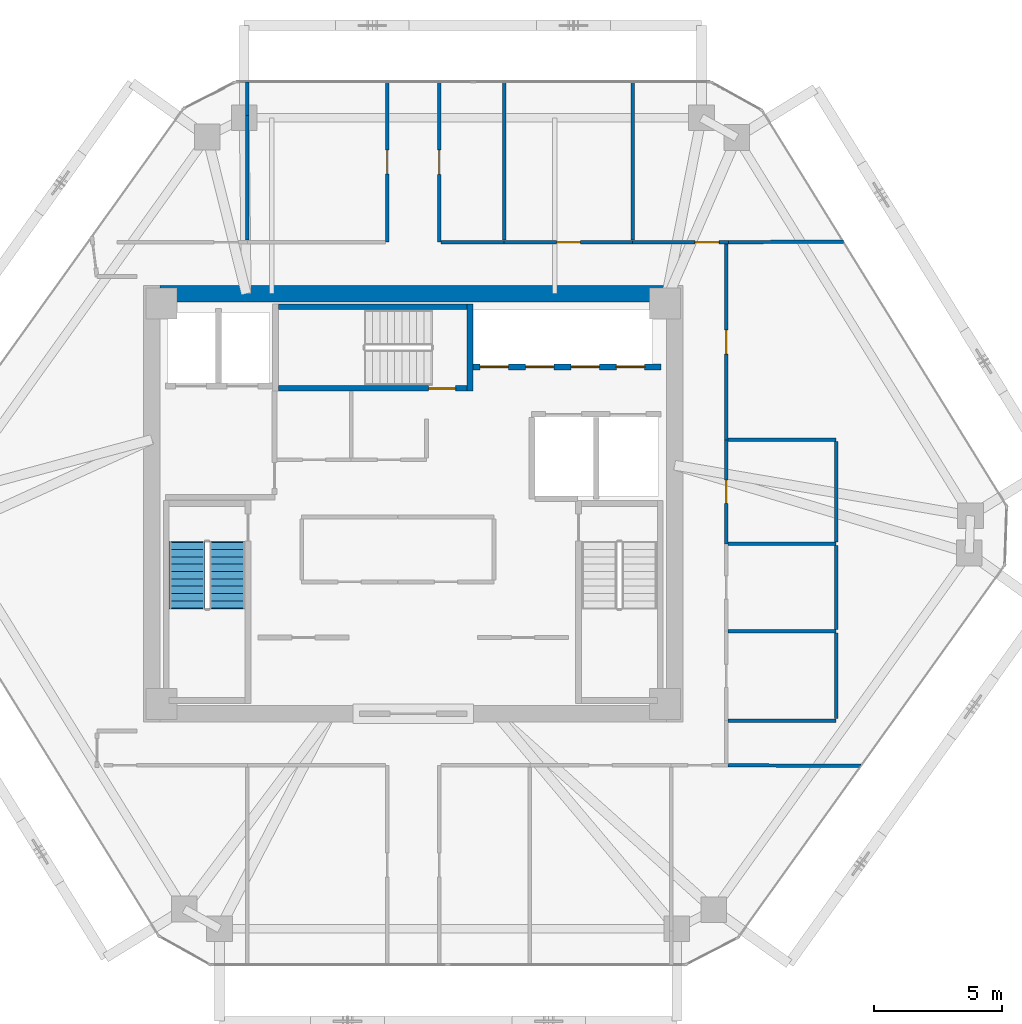
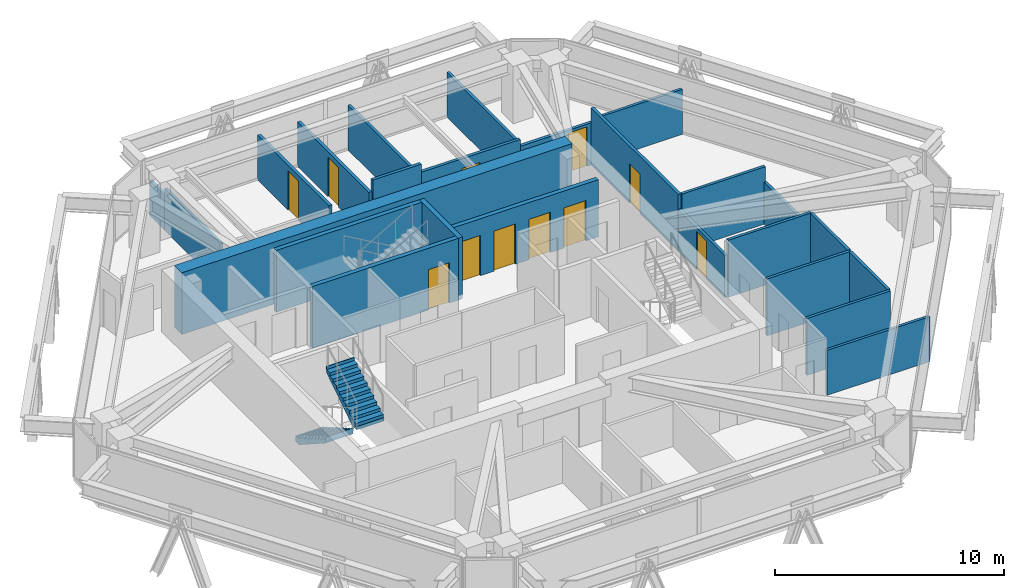
# One storey, part 12 of 14: 25 walls, 11 doors, 2 stair flights, 11 openings, 1 element without a shape of its own.
"""IFC4 building model written with IfcOpenShell, lengths in metres."""

from ifc_helpers import new_model, si_unit, direction, frame, frame_2d, origin, place, context, subcontext, project, spatial, polyline, rectangle, outline, extrude, source, transform, mapped, material, layer, layer_set, type_object, type_shapes, element, fill, aggregate, save


model = new_model("IFC4")

# Units and contexts
model_context = context("Model", 3, precision=1e-05, world=origin(), true_north=direction((0.0, 1.0)))
body_context = subcontext(model_context, "Body", "Model", "MODEL_VIEW")
ifc_project = project(units=[si_unit("LENGTHUNIT", "METRE"), si_unit("AREAUNIT", "SQUARE_METRE"), si_unit("VOLUMEUNIT", "CUBIC_METRE"), si_unit("PLANEANGLEUNIT", "RADIAN"), si_unit("MASSUNIT", "GRAM", prefix="KILO")], contexts=[model_context])

# Site, building, storey
site_placement = place(None, origin())
site = spatial("IfcSite", under=ifc_project, at=site_placement, CompositionType="ELEMENT")
building_placement = place(site_placement, origin())
building = spatial("IfcBuilding", under=site, at=building_placement, Name="Durnholm Broadcast Tower", CompositionType="ELEMENT")
storey_placement = place(building_placement, frame((0.0, 0.0, 173.800048828125)))
storey = spatial("IfcBuildingStorey", under=building, at=storey_placement, Name="L47", CompositionType="ELEMENT", Elevation=173.800048828125)

# Walls
ifc_material_1 = material(Name="Concrete C70/85", Category="concrete")
ifc_layer_1 = layer(ifc_material_1, 0.64990234375)
ifc_layer_set_1 = layer_set([ifc_layer_1], Name="Concrete C70/85")
wall_type_1 = type_object("IfcWallType", Name="WALL-CW-650", PredefinedType="SHEAR", material=ifc_layer_set_1)
wall_1_placement = place(storey_placement, frame((-9.85009765625, 8.175048828125, 0.0), z_axis=(0.0, 0.0, 1.0), x_axis=(1.0, 0.0, 0.0)))
element("IfcWall", 1, at=wall_1_placement, inside=storey, type_object=wall_type_1, Name="L47 central core shear wall CW-N", PredefinedType="SHEAR", context=body_context, shape_type="SweptSolid", body=[
    extrude(rectangle(XDim=19.7001953125, YDim=0.64990234375, at=frame_2d((9.85009765625, 0.0))), origin(), (0.0, 0.0, 1.0), 3.300048828125),
])
ifc_material_2 = material(Name="Gypsum Metal Stud Partition", Category="concrete")
ifc_layer_2 = layer(ifc_material_2, 0.135009765625)
ifc_layer_set_2 = layer_set([ifc_layer_2], Name="Gypsum Metal Stud Partition")
wall_type_2 = type_object("IfcWallType", Name="WALL-PART-135", PredefinedType="PARTITIONING", material=ifc_layer_set_2)
wall_2_placement = place(storey_placement, frame((-6.4599609375, 15.10205078125, 0.0), z_axis=(0.0, 0.0, 1.0), x_axis=(0.0, -1.0, 0.0)))
element("IfcWall", 2, at=wall_2_placement, inside=storey, type_object=wall_type_2, Name="L47 room dividing partition 10.11", PredefinedType="PARTITIONING", context=body_context, shape_type="SweptSolid", body=[
    extrude(rectangle(XDim=4.843017578125, YDim=0.135009765625, at=frame_2d((2.42138671875, 0.0))), origin(), (0.0, 0.0, 1.0), 2.24169921875),
])
wall_3_placement = place(storey_placement, frame((-6.4599609375, 16.41796875, 0.0), z_axis=(0.0, 0.0, 1.0), x_axis=(0.0, -1.0, 0.0)))
element("IfcWall", 3, at=wall_3_placement, inside=storey, type_object=wall_type_2, Name="L47 room dividing partition 10.11", PredefinedType="PARTITIONING", context=body_context, shape_type="SweptSolid", body=[
    extrude(rectangle(XDim=1.31591796875, YDim=0.135009765625, at=frame_2d((0.657958984375, 0.0))), origin(), (0.0, 0.0, 1.0), 1.876953125),
])
for number, where, z_axis, x_axis, name in (
    (4, (3.5400390625, 16.41796875, 0.0), (0.0, 0.0, 1.0), (0.0, -1.0, 0.0), "L47 room dividing partition 12.13"),
    (5, (8.5400390625, 16.41796875, 0.0), (0.0, 0.0, 1.0), (0.0, -1.0, 0.0), "L47 room dividing partition 13.14"),
):
    element("IfcWall", number, at=place(storey_placement, frame(where, z_axis=z_axis, x_axis=x_axis)), inside=storey, type_object=wall_type_2, Name=name, PredefinedType="PARTITIONING", context=body_context, shape_type="SweptSolid", body=[
        extrude(rectangle(XDim=6.158935546875, YDim=0.135009765625, at=frame_2d((3.07958984375, 0.0))), origin(), (0.0, 0.0, 1.0), 2.398681640625),
    ])
wall_4_placement = place(storey_placement, frame((16.739990234375, 10.200927734375, 0.0), z_axis=(0.0, 0.0, 1.0), x_axis=(-0.999989522694, -0.004577608714, 0.0)))
element("IfcWall", 6, at=wall_4_placement, inside=storey, type_object=wall_type_2, Name="L47 room dividing partition 14.22", PredefinedType="PARTITIONING", context=body_context, shape_type="SweptSolid", body=[
    extrude(rectangle(XDim=4.47998046875, YDim=0.135009765625, at=frame_2d((2.239990234375, 0.0))), origin(), (0.0, 0.0, 1.0), 2.398681640625),
])
wall_5_placement = place(storey_placement, frame((12.260009765625, -10.180419921875, 0.0), z_axis=(0.0, 0.0, 1.0), x_axis=(0.999990144117, -0.004439782427, 0.0)))
element("IfcWall", 7, at=wall_5_placement, inside=storey, type_object=wall_type_2, Name="L47 room dividing partition 19.22", PredefinedType="PARTITIONING", context=body_context, shape_type="SweptSolid", body=[
    extrude(rectangle(XDim=5.1689453125, YDim=0.135009765625, at=frame_2d((2.58447265625, 0.0))), origin(), (0.0, 0.0, 1.0), 2.398681640625),
])

# Wall, opening, door
ifc_material_3 = material(Name="Acoustic Gypsum Stud Partition", Category="concrete")
ifc_layer_3 = layer(ifc_material_3, 0.14990234375)
ifc_layer_set_3 = layer_set([ifc_layer_3], Name="Acoustic Gypsum Stud Partition")
wall_type_3 = type_object("IfcWallType", Name="WALL-PART-150", PredefinedType="PARTITIONING", material=ifc_layer_set_3)
wall_6_placement = place(storey_placement, frame((-1.010009765625, 16.41796875, 0.0), z_axis=(0.0, 0.0, 1.0), x_axis=(0.0, -1.0, 0.0)))
wall_6 = element("IfcWall", 8, at=wall_6_placement, inside=storey, type_object=wall_type_3, Name="L47 Rough-Cut Office 1 corridor partition", PredefinedType="PARTITIONING", context=body_context, shape_type="SweptSolid", body=[
    extrude(rectangle(XDim=6.238037109375, YDim=0.14990234375, at=frame_2d((3.119140625, 0.0))), origin(), (0.0, 0.0, 1.0), 2.398681640625),
])
opening_1_placement = place(wall_6_placement, frame((2.658935546875, 0.0, 0.0)))
opening_1 = element("IfcOpeningElement", 9, at=opening_1_placement, cuts=wall_6, Name="Opening DR-92R", PredefinedType="OPENING", context=body_context, shape_type="SweptSolid", body=[
    extrude(rectangle(XDim=0.919921875, YDim=2.10009765625, at=frame_2d((0.4599609375, 1.050048828125))), frame((0.0, 0.0849609375, 0.0), z_axis=(0.0, -1.0, 0.0), x_axis=(1.0, 0.0, 0.0)), (0.0, 0.0, 1.0), 0.169921875),
])
ifc_material_4 = material(Name="Oak Veneer Office Door", Category="wood")
ifc_layer_4 = layer(ifc_material_4, 0.050048828125)
ifc_layer_set_4 = layer_set([ifc_layer_4], Name="Oak Veneer Office Door")
door_type_1 = type_object("IfcDoorType", Name="DOOR-RM-920R", OperationType="NOTDEFINED", PredefinedType="DOOR", material=ifc_layer_set_4)
shared_shape_1 = source(origin(), body_context, "Body", "SweptSolid", [
    extrude(rectangle(XDim=0.919921875, YDim=2.10009765625, at=frame_2d((0.4599609375, 1.050048828125))), frame((0.0, 0.02490234375, 0.0), z_axis=(0.0, -1.0, 0.0), x_axis=(1.0, 0.0, 0.0)), (0.0, 0.0, 1.0), 0.050048828125),
])
type_shapes(door_type_1, [shared_shape_1])
door_1_placement = place(opening_1_placement, origin())
door_1 = element("IfcDoor", 10, at=door_1_placement, inside=storey, type_object=door_type_1, Name="L47 Rough-Cut Office 1 entrance door", OperationType="SINGLE_SWING_RIGHT", OverallHeight=2.10009765625, OverallWidth=0.919921875, PredefinedType="DOOR", context=body_context, shape_type="MappedRepresentation", body=[
    mapped(shared_shape_1, transform((0.0, 0.0, 0.0), x_axis=(1.0, 0.0, 0.0), y_axis=(0.0, 1.0, 0.0), z_axis=(0.0, 0.0, 1.0), scale=1.0)),
])
fill(opening_1, door_1)

wall_7_placement = place(storey_placement, frame((1.010009765625, 10.179931640625, 0.0), z_axis=(0.0, 0.0, 1.0), x_axis=(0.0, 1.0, 0.0)))
wall_7 = element("IfcWall", 11, at=wall_7_placement, inside=storey, type_object=wall_type_3, Name="L47 Rough-Cut Office 2 corridor partition", PredefinedType="PARTITIONING", context=body_context, shape_type="SweptSolid", body=[
    extrude(rectangle(XDim=6.238037109375, YDim=0.14990234375, at=frame_2d((3.119140625, 0.0))), origin(), (0.0, 0.0, 1.0), 2.398681640625),
])
opening_2_placement = place(wall_7_placement, frame((2.64404296875, 0.0, 0.0)))
opening_2 = element("IfcOpeningElement", 12, at=opening_2_placement, cuts=wall_7, Name="Opening DR-95L", PredefinedType="OPENING", context=body_context, shape_type="SweptSolid", body=[
    extrude(rectangle(XDim=0.949951171875, YDim=2.10009765625, at=frame_2d((0.47509765625, 1.050048828125))), frame((0.0, 0.0849609375, 0.0), z_axis=(0.0, -1.0, 0.0), x_axis=(1.0, 0.0, 0.0)), (0.0, 0.0, 1.0), 0.169921875),
])
ifc_material_5 = material(Name="Acoustic Oak Veneer Timber Door", Category="wood")
ifc_layer_5 = layer(ifc_material_5, 0.050048828125)
ifc_layer_set_5 = layer_set([ifc_layer_5], Name="Acoustic Oak Veneer Timber Door")
door_type_2 = type_object("IfcDoorType", Name="DOOR-RM-950L", OperationType="NOTDEFINED", PredefinedType="DOOR", material=ifc_layer_set_5)
shared_shape_2 = source(origin(), body_context, "Body", "SweptSolid", [
    extrude(rectangle(XDim=0.949951171875, YDim=2.10009765625, at=frame_2d((0.47509765625, 1.050048828125))), frame((0.0, 0.02490234375, 0.0), z_axis=(0.0, -1.0, 0.0), x_axis=(1.0, 0.0, 0.0)), (0.0, 0.0, 1.0), 0.050048828125),
])
type_shapes(door_type_2, [shared_shape_2])
door_2_placement = place(opening_2_placement, origin())
door_2 = element("IfcDoor", 13, at=door_2_placement, inside=storey, type_object=door_type_2, Name="L47 Rough-Cut Office 2 entrance door", OperationType="SINGLE_SWING_LEFT", OverallHeight=2.10009765625, OverallWidth=0.949951171875, PredefinedType="DOOR", context=body_context, shape_type="MappedRepresentation", body=[
    mapped(shared_shape_2, transform((0.0, 0.0, 0.0), x_axis=(1.0, 0.0, 0.0), y_axis=(0.0, 1.0, 0.0), z_axis=(0.0, 0.0, 1.0), scale=1.0)),
])
fill(opening_2, door_2)

# Wall
wall_8_placement = place(storey_placement, frame((3.5400390625, 10.179931640625, 0.0), z_axis=(0.0, 0.0, 1.0), x_axis=(-1.0, 0.0, 0.0)))
element("IfcWall", 14, at=wall_8_placement, inside=storey, type_object=wall_type_3, Name="L47 Rough-Cut Office 2 corridor partition", PredefinedType="PARTITIONING", context=body_context, shape_type="SweptSolid", body=[
    extrude(rectangle(XDim=2.450927734375, YDim=0.14990234375, at=frame_2d((1.2255859375, 0.0))), origin(), (0.0, 0.0, 1.0), 3.044921875),
])

# Wall, opening, door
wall_9_placement = place(storey_placement, frame((8.5400390625, 10.179931640625, 0.0), z_axis=(0.0, 0.0, 1.0), x_axis=(-1.0, 0.0, 0.0)))
wall_9 = element("IfcWall", 15, at=wall_9_placement, inside=storey, type_object=wall_type_3, Name="L47 Archival Office corridor partition", PredefinedType="PARTITIONING", context=body_context, shape_type="SweptSolid", body=[
    extrude(rectangle(XDim=5.0, YDim=0.14990234375, at=frame_2d((2.5, 0.0))), origin(), (0.0, 0.0, 1.0), 2.608154296875),
])
opening_3_placement = place(wall_9_placement, frame((2.0400390625, 0.0, 0.0)))
opening_3 = element("IfcOpeningElement", 16, at=opening_3_placement, cuts=wall_9, Name="Opening DR-92R", PredefinedType="OPENING", context=body_context, shape_type="SweptSolid", body=[
    extrude(rectangle(XDim=0.919921875, YDim=2.10009765625, at=frame_2d((0.4599609375, 1.050048828125))), frame((0.0, 0.0849609375, 0.0), z_axis=(0.0, -1.0, 0.0), x_axis=(1.0, 0.0, 0.0)), (0.0, 0.0, 1.0), 0.169921875),
])
door_3_placement = place(opening_3_placement, origin())
door_3 = element("IfcDoor", 17, at=door_3_placement, inside=storey, type_object=door_type_1, Name="L47 Archival Office entrance door", OperationType="SINGLE_SWING_RIGHT", OverallHeight=2.10009765625, OverallWidth=0.919921875, PredefinedType="DOOR", context=body_context, shape_type="MappedRepresentation", body=[
    mapped(shared_shape_1, transform((0.0, 0.0, 0.0), x_axis=(1.0, 0.0, 0.0), y_axis=(0.0, 1.0, 0.0), z_axis=(0.0, 0.0, 1.0), scale=1.0)),
])
fill(opening_3, door_3)

wall_10_placement = place(storey_placement, frame((12.260009765625, 10.179931640625, 0.0), z_axis=(0.0, 0.0, 1.0), x_axis=(-1.0, 0.0, 0.0)))
wall_10 = element("IfcWall", 18, at=wall_10_placement, inside=storey, type_object=wall_type_3, Name="L47 Open Plan Broadcast Workspace 6 corridor partition", PredefinedType="PARTITIONING", context=body_context, shape_type="SweptSolid", body=[
    extrude(rectangle(XDim=3.719970703125, YDim=0.14990234375, at=frame_2d((1.85986328125, 0.0))), origin(), (0.0, 0.0, 1.0), 2.24169921875),
])
opening_4_placement = place(wall_10_placement, frame((0.35009765625, 0.0, 0.0)))
opening_4 = element("IfcOpeningElement", 19, at=opening_4_placement, cuts=wall_10, Name="Opening DR-95L", PredefinedType="OPENING", context=body_context, shape_type="SweptSolid", body=[
    extrude(rectangle(XDim=0.949951171875, YDim=2.10009765625, at=frame_2d((0.47509765625, 1.050048828125))), frame((0.0, 0.0849609375, 0.0), z_axis=(0.0, -1.0, 0.0), x_axis=(1.0, 0.0, 0.0)), (0.0, 0.0, 1.0), 0.169921875),
])
door_4_placement = place(opening_4_placement, origin())
door_4 = element("IfcDoor", 20, at=door_4_placement, inside=storey, type_object=door_type_2, Name="L47 Open Plan Broadcast Workspace 6 entrance door", OperationType="SINGLE_SWING_LEFT", OverallHeight=2.10009765625, OverallWidth=0.949951171875, PredefinedType="DOOR", context=body_context, shape_type="MappedRepresentation", body=[
    mapped(shared_shape_2, transform((0.0, 0.0, 0.0), x_axis=(1.0, 0.0, 0.0), y_axis=(0.0, 1.0, 0.0), z_axis=(0.0, 0.0, 1.0), scale=1.0)),
])
fill(opening_4, door_4)

wall_11_placement = place(storey_placement, frame((12.179931640625, 2.489990234375, 0.0), z_axis=(0.0, 0.0, 1.0), x_axis=(0.0, 1.0, 0.0)))
wall_11 = element("IfcWall", 21, at=wall_11_placement, inside=storey, type_object=wall_type_3, Name="L47 Archival Office corridor partition", PredefinedType="PARTITIONING", context=body_context, shape_type="SweptSolid", body=[
    extrude(rectangle(XDim=7.611083984375, YDim=0.14990234375, at=frame_2d((3.8056640625, 0.0))), origin(), (0.0, 0.0, 1.0), 3.044921875),
])
opening_5_placement = place(wall_11_placement, frame((3.33056640625, 0.0, 0.0)))
opening_5 = element("IfcOpeningElement", 22, at=opening_5_placement, cuts=wall_11, Name="Opening DR-95R", PredefinedType="OPENING", context=body_context, shape_type="SweptSolid", body=[
    extrude(rectangle(XDim=0.949951171875, YDim=2.10009765625, at=frame_2d((0.47509765625, 1.050048828125))), frame((0.0, 0.0849609375, 0.0), z_axis=(0.0, -1.0, 0.0), x_axis=(1.0, 0.0, 0.0)), (0.0, 0.0, 1.0), 0.169921875),
])
ifc_layer_6 = layer(ifc_material_5, 0.050048828125)
ifc_layer_set_6 = layer_set([ifc_layer_6], Name="Acoustic Oak Veneer Timber Door")
door_type_3 = type_object("IfcDoorType", Name="DOOR-RM-950R", OperationType="NOTDEFINED", PredefinedType="DOOR", material=ifc_layer_set_6)
shared_shape_3 = source(origin(), body_context, "Body", "SweptSolid", [
    extrude(rectangle(XDim=0.949951171875, YDim=2.10009765625, at=frame_2d((0.47509765625, 1.050048828125))), frame((0.0, 0.02490234375, 0.0), z_axis=(0.0, -1.0, 0.0), x_axis=(1.0, 0.0, 0.0)), (0.0, 0.0, 1.0), 0.050048828125),
])
type_shapes(door_type_3, [shared_shape_3])
door_5_placement = place(opening_5_placement, origin())
door_5 = element("IfcDoor", 23, at=door_5_placement, inside=storey, type_object=door_type_3, Name="L47 Archival Office entrance door", OperationType="SINGLE_SWING_RIGHT", OverallHeight=2.10009765625, OverallWidth=0.949951171875, PredefinedType="DOOR", context=body_context, shape_type="MappedRepresentation", body=[
    mapped(shared_shape_3, transform((0.0, 0.0, 0.0), x_axis=(1.0, 0.0, 0.0), y_axis=(0.0, 1.0, 0.0), z_axis=(0.0, 0.0, 1.0), scale=1.0)),
])
fill(opening_5, door_5)

# Wall, openings, doors
ifc_material_6 = material(Name="Concrete Blockwork C30/37", Category="masonry")
ifc_layer_7 = layer(ifc_material_6, 0.219970703125)
ifc_layer_set_7 = layer_set([ifc_layer_7], Name="Concrete Blockwork C30/37")
wall_type_4 = type_object("IfcWallType", Name="WALL-SHAFT-220", PredefinedType="SOLIDWALL", material=ifc_layer_set_7)
wall_12_placement = place(storey_placement, frame((2.324951171875, 5.320068359375, 0.0), z_axis=(0.0, 0.0, 1.0), x_axis=(1.0, 0.0, 0.0)))
wall_12 = element("IfcWall", 24, at=wall_12_placement, inside=storey, type_object=wall_type_4, Name="L47 high-rise bank P3 south front wall", PredefinedType="SOLIDWALL", context=body_context, shape_type="SweptSolid", body=[
    extrude(rectangle(XDim=7.324951171875, YDim=0.219970703125, at=frame_2d((3.66259765625, 0.0))), origin(), (0.0, 0.0, 1.0), 3.044921875),
])
opening_6_placement = place(wall_12_placement, frame((0.27490234375, 0.0, 0.0)))
opening_6 = element("IfcOpeningElement", 25, at=opening_6_placement, cuts=wall_12, Name="Opening LD-LP3-1", PredefinedType="OPENING", context=body_context, shape_type="SweptSolid", body=[
    extrude(rectangle(XDim=1.10009765625, YDim=2.14990234375, at=frame_2d((0.550048828125, 1.074951171875))), frame((0.0, 0.1201171875, 0.0), z_axis=(0.0, -1.0, 0.0), x_axis=(1.0, 0.0, 0.0)), (0.0, 0.0, 1.0), 0.239990234375),
])
opening_7_placement = place(wall_12_placement, frame((2.044921875, 0.0, 0.0)))
opening_7 = element("IfcOpeningElement", 26, at=opening_7_placement, cuts=wall_12, Name="Opening LD-LP3-2", PredefinedType="OPENING", context=body_context, shape_type="SweptSolid", body=[
    extrude(rectangle(XDim=1.10009765625, YDim=2.14990234375, at=frame_2d((0.550048828125, 1.074951171875))), frame((0.0, 0.1201171875, 0.0), z_axis=(0.0, -1.0, 0.0), x_axis=(1.0, 0.0, 0.0)), (0.0, 0.0, 1.0), 0.239990234375),
])
opening_8_placement = place(wall_12_placement, frame((3.81494140625, 0.0, 0.0)))
opening_8 = element("IfcOpeningElement", 27, at=opening_8_placement, cuts=wall_12, Name="Opening LD-LP3-3", PredefinedType="OPENING", context=body_context, shape_type="SweptSolid", body=[
    extrude(rectangle(XDim=1.10009765625, YDim=2.14990234375, at=frame_2d((0.550048828125, 1.074951171875))), frame((0.0, 0.1201171875, 0.0), z_axis=(0.0, -1.0, 0.0), x_axis=(1.0, 0.0, 0.0)), (0.0, 0.0, 1.0), 0.239990234375),
])
opening_9_placement = place(wall_12_placement, frame((5.5849609375, 0.0, 0.0)))
opening_9 = element("IfcOpeningElement", 28, at=opening_9_placement, cuts=wall_12, Name="Opening LD-LP3-4", PredefinedType="OPENING", context=body_context, shape_type="SweptSolid", body=[
    extrude(rectangle(XDim=1.10009765625, YDim=2.14990234375, at=frame_2d((0.550048828125, 1.074951171875))), frame((0.0, 0.1201171875, 0.0), z_axis=(0.0, -1.0, 0.0), x_axis=(1.0, 0.0, 0.0)), (0.0, 0.0, 1.0), 0.239990234375),
])
ifc_material_7 = material(Name="Stainless Steel Sliding Elevator Landing Door", Category="steel")
ifc_layer_8 = layer(ifc_material_7, 0.050048828125)
ifc_layer_set_8 = layer_set([ifc_layer_8], Name="Stainless Steel Sliding Elevator Landing Door")
door_type_4 = type_object("IfcDoorType", Name="DOOR-LIFT-PAX", OperationType="DOUBLE_DOOR_SLIDING", PredefinedType="DOOR", material=ifc_layer_set_8)
shared_shape_4 = source(origin(), body_context, "Body", "SweptSolid", [
    extrude(rectangle(XDim=1.10009765625, YDim=2.14990234375, at=frame_2d((0.550048828125, 1.074951171875))), frame((0.0, 0.02490234375, 0.0), z_axis=(0.0, -1.0, 0.0), x_axis=(1.0, 0.0, 0.0)), (0.0, 0.0, 1.0), 0.050048828125),
])
type_shapes(door_type_4, [shared_shape_4])
door_6_placement = place(opening_6_placement, origin())
door_6 = element("IfcDoor", 29, at=door_6_placement, inside=storey, type_object=door_type_4, Name="L47 high-rise elevator LP3-1 sliding landing door", OperationType="DOUBLE_DOOR_SLIDING", OverallHeight=2.14990234375, OverallWidth=1.10009765625, PredefinedType="DOOR", context=body_context, shape_type="MappedRepresentation", body=[
    mapped(shared_shape_4, transform((0.0, 0.0, 0.0), x_axis=(1.0, 0.0, 0.0), y_axis=(0.0, 1.0, 0.0), z_axis=(0.0, 0.0, 1.0), scale=1.0)),
])
fill(opening_6, door_6)
door_7_placement = place(opening_7_placement, origin())
door_7 = element("IfcDoor", 30, at=door_7_placement, inside=storey, type_object=door_type_4, Name="L47 high-rise elevator LP3-2 sliding landing door", OperationType="DOUBLE_DOOR_SLIDING", OverallHeight=2.14990234375, OverallWidth=1.10009765625, PredefinedType="DOOR", context=body_context, shape_type="MappedRepresentation", body=[
    mapped(shared_shape_4, transform((0.0, 0.0, 0.0), x_axis=(1.0, 0.0, 0.0), y_axis=(0.0, 1.0, 0.0), z_axis=(0.0, 0.0, 1.0), scale=1.0)),
])
fill(opening_7, door_7)
door_8_placement = place(opening_8_placement, origin())
door_8 = element("IfcDoor", 31, at=door_8_placement, inside=storey, type_object=door_type_4, Name="L47 high-rise elevator LP3-3 sliding landing door", OperationType="DOUBLE_DOOR_SLIDING", OverallHeight=2.14990234375, OverallWidth=1.10009765625, PredefinedType="DOOR", context=body_context, shape_type="MappedRepresentation", body=[
    mapped(shared_shape_4, transform((0.0, 0.0, 0.0), x_axis=(1.0, 0.0, 0.0), y_axis=(0.0, 1.0, 0.0), z_axis=(0.0, 0.0, 1.0), scale=1.0)),
])
fill(opening_8, door_8)
door_9_placement = place(opening_9_placement, origin())
door_9 = element("IfcDoor", 32, at=door_9_placement, inside=storey, type_object=door_type_4, Name="L47 high-rise elevator LP3-4 sliding landing door", OperationType="DOUBLE_DOOR_SLIDING", OverallHeight=2.14990234375, OverallWidth=1.10009765625, PredefinedType="DOOR", context=body_context, shape_type="MappedRepresentation", body=[
    mapped(shared_shape_4, transform((0.0, 0.0, 0.0), x_axis=(1.0, 0.0, 0.0), y_axis=(0.0, 1.0, 0.0), z_axis=(0.0, 0.0, 1.0), scale=1.0)),
])
fill(opening_9, door_9)

# Wall
ifc_material_8 = material(Name="Concrete C50/60", Category="concrete")
ifc_layer_9 = layer(ifc_material_8, 0.219970703125)
ifc_layer_set_9 = layer_set([ifc_layer_9], Name="Concrete C50/60")
wall_type_5 = type_object("IfcWallType", Name="WALL-SW-220", PredefinedType="SHEAR", material=ifc_layer_set_9)
wall_13_placement = place(storey_placement, frame((2.2099609375, 4.3798828125, -0.239990234375), z_axis=(0.0, 0.0, 1.0), x_axis=(0.0, 1.0, 0.0)))
element("IfcWall", 33, at=wall_13_placement, inside=storey, type_object=wall_type_5, Name="L47 stair ST-3 structural shaft wall E", PredefinedType="SHEAR", context=body_context, shape_type="SweptSolid", body=[
    extrude(rectangle(XDim=3.400146484375, YDim=0.219970703125, at=frame_2d((1.7001953125, 0.0))), origin(), (0.0, 0.0, 1.0), 3.300048828125),
])

# Wall, opening, door
wall_14_placement = place(storey_placement, frame((-5.25, 4.489990234375, -0.239990234375), z_axis=(0.0, 0.0, 1.0), x_axis=(1.0, 0.0, 0.0)))
wall_14 = element("IfcWall", 34, at=wall_14_placement, inside=storey, type_object=wall_type_5, Name="L47 stair ST-3 structural shaft wall S", PredefinedType="SHEAR", context=body_context, shape_type="SweptSolid", body=[
    extrude(rectangle(XDim=7.35009765625, YDim=0.219970703125, at=frame_2d((3.675048828125, 0.0))), origin(), (0.0, 0.0, 1.0), 3.300048828125),
])
opening_10_placement = place(wall_14_placement, frame((5.85009765625, 0.0, 0.0)))
opening_10 = element("IfcOpeningElement", 35, at=opening_10_placement, cuts=wall_14, Name="Opening DS-90L", PredefinedType="OPENING", context=body_context, shape_type="SweptSolid", body=[
    extrude(rectangle(XDim=1.050048828125, YDim=2.14990234375, at=frame_2d((0.52490234375, 1.074951171875))), frame((0.0, 0.1201171875, 0.0), z_axis=(0.0, -1.0, 0.0), x_axis=(1.0, 0.0, 0.0)), (0.0, 0.0, 1.0), 0.239990234375),
])
ifc_material_9 = material(Name="Fire-Rated Steel Door", Category="steel")
ifc_layer_10 = layer(ifc_material_9, 0.050048828125)
ifc_layer_set_10 = layer_set([ifc_layer_10], Name="Fire-Rated Steel Door")
door_type_5 = type_object("IfcDoorType", Name="DOOR-ST-FD90-L", OperationType="NOTDEFINED", PredefinedType="DOOR", material=ifc_layer_set_10)
shared_shape_5 = source(origin(), body_context, "Body", "SweptSolid", [
    extrude(rectangle(XDim=1.050048828125, YDim=2.14990234375, at=frame_2d((0.52490234375, 1.074951171875))), frame((0.0, 0.02490234375, 0.0), z_axis=(0.0, -1.0, 0.0), x_axis=(1.0, 0.0, 0.0)), (0.0, 0.0, 1.0), 0.050048828125),
])
type_shapes(door_type_5, [shared_shape_5])
door_10_placement = place(opening_10_placement, origin())
door_10 = element("IfcDoor", 36, at=door_10_placement, inside=storey, type_object=door_type_5, Name="L47 exit stair ST-3 fire door", OperationType="SINGLE_SWING_LEFT", OverallHeight=2.14990234375, OverallWidth=1.050048828125, PredefinedType="DOOR", context=body_context, shape_type="MappedRepresentation", body=[
    mapped(shared_shape_5, transform((0.0, 0.0, 0.0), x_axis=(1.0, 0.0, 0.0), y_axis=(0.0, 1.0, 0.0), z_axis=(0.0, 0.0, 1.0), scale=1.0)),
])
fill(opening_10, door_10)

# Wall
wall_15_placement = place(storey_placement, frame((2.10009765625, 7.669921875, -0.239990234375), z_axis=(0.0, 0.0, 1.0), x_axis=(-1.0, 0.0, 0.0)))
element("IfcWall", 37, at=wall_15_placement, inside=storey, type_object=wall_type_5, Name="L47 stair ST-3 structural shaft wall N", PredefinedType="SHEAR", context=body_context, shape_type="SweptSolid", body=[
    extrude(rectangle(XDim=7.35009765625, YDim=0.219970703125, at=frame_2d((3.675048828125, 0.0))), origin(), (0.0, 0.0, 1.0), 3.300048828125),
])

# Wall, opening, door
ifc_material_10 = material(Name="Moisture-Resistant Tile Partition", Category="concrete")
ifc_layer_11 = layer(ifc_material_10, 0.139892578125)
ifc_layer_set_11 = layer_set([ifc_layer_11], Name="Moisture-Resistant Tile Partition")
wall_type_6 = type_object("IfcWallType", Name="WALL-WC-140", PredefinedType="PARTITIONING", material=ifc_layer_set_11)
wall_16_placement = place(storey_placement, frame((12.179931640625, -1.56005859375, 0.0), z_axis=(0.0, 0.0, 1.0), x_axis=(0.0, 1.0, 0.0)))
wall_16 = element("IfcWall", 38, at=wall_16_placement, inside=storey, type_object=wall_type_6, Name="L47 Accessible Restroom corridor partition", PredefinedType="PARTITIONING", context=body_context, shape_type="SweptSolid", body=[
    extrude(rectangle(XDim=4.050048828125, YDim=0.139892578125, at=frame_2d((2.02490234375, 0.0))), origin(), (0.0, 0.0, 1.0), 2.24169921875),
])
opening_11_placement = place(wall_16_placement, frame((1.574951171875, 0.0, 0.0)))
opening_11 = element("IfcOpeningElement", 39, at=opening_11_placement, cuts=wall_16, Name="Opening DW-90R", PredefinedType="OPENING", context=body_context, shape_type="SweptSolid", body=[
    extrude(rectangle(XDim=0.89990234375, YDim=2.050048828125, at=frame_2d((0.449951171875, 1.02490234375))), frame((0.0, 0.080078125, 0.0), z_axis=(0.0, -1.0, 0.0), x_axis=(1.0, 0.0, 0.0)), (0.0, 0.0, 1.0), 0.159912109375),
])
ifc_material_11 = material(Name="Laminate Restroom Door", Category="steel")
ifc_layer_12 = layer(ifc_material_11, 0.050048828125)
ifc_layer_set_12 = layer_set([ifc_layer_12], Name="Laminate Restroom Door")
door_type_6 = type_object("IfcDoorType", Name="DOOR-WC-900R", OperationType="NOTDEFINED", PredefinedType="DOOR", material=ifc_layer_set_12)
shared_shape_6 = source(origin(), body_context, "Body", "SweptSolid", [
    extrude(rectangle(XDim=0.89990234375, YDim=2.050048828125, at=frame_2d((0.449951171875, 1.02490234375))), frame((0.0, 0.02490234375, 0.0), z_axis=(0.0, -1.0, 0.0), x_axis=(1.0, 0.0, 0.0)), (0.0, 0.0, 1.0), 0.050048828125),
])
type_shapes(door_type_6, [shared_shape_6])
door_11_placement = place(opening_11_placement, origin())
door_11 = element("IfcDoor", 40, at=door_11_placement, inside=storey, type_object=door_type_6, Name="L47 Accessible Restroom entrance door", OperationType="SINGLE_SWING_RIGHT", OverallHeight=2.050048828125, OverallWidth=0.89990234375, PredefinedType="DOOR", context=body_context, shape_type="MappedRepresentation", body=[
    mapped(shared_shape_6, transform((0.0, 0.0, 0.0), x_axis=(1.0, 0.0, 0.0), y_axis=(0.0, 1.0, 0.0), z_axis=(0.0, 0.0, 1.0), scale=1.0)),
])
fill(opening_11, door_11)

# Walls
wall_17_placement = place(storey_placement, frame((12.25390625, -4.9599609375, 0.0), z_axis=(0.0, 0.0, 1.0), x_axis=(1.0, 0.0, 0.0)))
element("IfcWall", 41, at=wall_17_placement, inside=storey, type_object=wall_type_6, Name="L47 room dividing partition 7.8", PredefinedType="PARTITIONING", context=body_context, shape_type="SweptSolid", body=[
    extrude(rectangle(XDim=4.2060546875, YDim=0.139892578125, at=frame_2d((2.10302734375, 0.0))), origin(), (0.0, 0.0, 1.0), 3.044921875),
])
wall_18_placement = place(storey_placement, frame((16.4599609375, -8.43994140625, 0.0), z_axis=(0.0, 0.0, 1.0), x_axis=(-1.0, 0.0, 0.0)))
element("IfcWall", 42, at=wall_18_placement, inside=storey, type_object=wall_type_6, Name="L47 room dividing partition 7.22", PredefinedType="PARTITIONING", context=body_context, shape_type="SweptSolid", body=[
    extrude(rectangle(XDim=4.200927734375, YDim=0.139892578125, at=frame_2d((2.1005859375, 0.0))), origin(), (0.0, 0.0, 1.0), 3.044921875),
])
wall_19_placement = place(storey_placement, frame((16.4599609375, -5.033935546875, 0.0), z_axis=(0.0, 0.0, 1.0), x_axis=(0.0, -1.0, 0.0)))
element("IfcWall", 43, at=wall_19_placement, inside=storey, type_object=wall_type_6, Name="L47 room dividing partition 7.22", PredefinedType="PARTITIONING", context=body_context, shape_type="SweptSolid", body=[
    extrude(rectangle(XDim=3.33203125, YDim=0.139892578125, at=frame_2d((1.666015625, 0.0))), origin(), (0.0, 0.0, 1.0), 3.044921875),
])
wall_20_placement = place(storey_placement, frame((12.25390625, -1.56005859375, 0.0), z_axis=(0.0, 0.0, 1.0), x_axis=(1.0, 0.0, 0.0)))
element("IfcWall", 44, at=wall_20_placement, inside=storey, type_object=wall_type_6, Name="L47 room dividing partition 8.9", PredefinedType="PARTITIONING", context=body_context, shape_type="SweptSolid", body=[
    extrude(rectangle(XDim=4.2060546875, YDim=0.139892578125, at=frame_2d((2.10302734375, 0.0))), origin(), (0.0, 0.0, 1.0), 3.044921875),
])
wall_21_placement = place(storey_placement, frame((16.4599609375, -1.634033203125, 0.0), z_axis=(0.0, 0.0, 1.0), x_axis=(0.0, -1.0, 0.0)))
element("IfcWall", 45, at=wall_21_placement, inside=storey, type_object=wall_type_6, Name="L47 room dividing partition 8.22", PredefinedType="PARTITIONING", context=body_context, shape_type="SweptSolid", body=[
    extrude(rectangle(XDim=3.251953125, YDim=0.139892578125, at=frame_2d((1.6259765625, 0.0))), origin(), (0.0, 0.0, 1.0), 3.044921875),
])
wall_22_placement = place(storey_placement, frame((12.259033203125, 2.489990234375, 0.0), z_axis=(0.0, 0.0, 1.0), x_axis=(1.0, 0.0, 0.0)))
element("IfcWall", 46, at=wall_22_placement, inside=storey, type_object=wall_type_6, Name="L47 room dividing partition 9.22", PredefinedType="PARTITIONING", context=body_context, shape_type="SweptSolid", body=[
    extrude(rectangle(XDim=4.200927734375, YDim=0.139892578125, at=frame_2d((2.1005859375, 0.0))), origin(), (0.0, 0.0, 1.0), 3.044921875),
])
wall_23_placement = place(storey_placement, frame((16.4599609375, 2.416015625, 0.0), z_axis=(0.0, 0.0, 1.0), x_axis=(0.0, -1.0, 0.0)))
element("IfcWall", 47, at=wall_23_placement, inside=storey, type_object=wall_type_6, Name="L47 room dividing partition 9.22", PredefinedType="PARTITIONING", context=body_context, shape_type="SweptSolid", body=[
    extrude(rectangle(XDim=3.902099609375, YDim=0.139892578125, at=frame_2d((1.951171875, 0.0))), origin(), (0.0, 0.0, 1.0), 2.24169921875),
])

# Stair, stair flights
stair_type = type_object("IfcStairType", Name="STAIR-DL-20R1650", PredefinedType="HALF_TURN_STAIR", material=ifc_material_8)
stair_placement = place(storey_placement, origin())
stair = element("IfcStair", 48, at=stair_placement, inside=storey, type_object=stair_type, Name="L47 ST-1", PredefinedType="HALF_TURN_STAIR")
stair_flight_type = type_object("IfcStairFlightType", Name="FLIGHT-DL-20R1650", PredefinedType="STRAIGHT", material=ifc_material_8)
stair_flight_1_placement = place(storey_placement, frame((-8.800048828125, -1.5, 0.0), z_axis=(0.0, 0.0, 1.0), x_axis=(0.0, -1.0, 0.0)))
stair_flight_1 = element("IfcStairFlight", 49, at=stair_flight_1_placement, type_object=stair_flight_type, Name="ST-1 flight 1", NumberOfRisers=10, NumberOfTreads=9, PredefinedType="STRAIGHT", RiserHeight=0.165, TreadLength=0.285, context=body_context, shape_type="SweptSolid", body=[
    extrude(outline(polyline([(-0.0400390625, -0.14990234375), (-0.0400390625, 0.0), (0.0, 0.0), (0.0, 0.1650390625), (0.284912109375, 0.1650390625), (0.284912109375, 0.330078125), (0.570068359375, 0.330078125), (0.570068359375, 0.4951171875), (0.85498046875, 0.4951171875), (0.85498046875, 0.659912109375), (1.139892578125, 0.659912109375), (1.139892578125, 0.824951171875), (1.425048828125, 0.824951171875), (1.425048828125, 0.989990234375), (1.7099609375, 0.989990234375), (1.7099609375, 1.155029296875), (1.9951171875, 1.155029296875), (1.9951171875, 1.320068359375), (2.280029296875, 1.320068359375), (2.280029296875, 1.485107421875), (2.56494140625, 1.485107421875), (2.56494140625, 1.64990234375), (2.60498046875, 1.64990234375), (2.60498046875, 1.5), (2.56494140625, 1.311767578125), (0.299072265625, -0.14990234375), (-0.0400390625, -0.14990234375)])), frame((0.0, 0.699951171875, 0.0), z_axis=(0.0, -1.0, 0.0), x_axis=(1.0, 0.0, 0.0)), (0.0, 0.0, 1.0), 1.39990234375),
])
stair_flight_2_placement = place(storey_placement, frame((-7.239990234375, -4.06494140625, 1.64990234375), z_axis=(0.0, 0.0, 1.0), x_axis=(0.0, 1.0, 0.0)))
stair_flight_2 = element("IfcStairFlight", 50, at=stair_flight_2_placement, type_object=stair_flight_type, Name="ST-1 flight 2", NumberOfRisers=10, NumberOfTreads=9, PredefinedType="STRAIGHT", RiserHeight=0.165, TreadLength=0.285, context=body_context, shape_type="SweptSolid", body=[
    extrude(outline(polyline([(-0.0400390625, -0.14990234375), (-0.0400390625, 0.0), (0.0, 0.0), (0.0, 0.1650390625), (0.284912109375, 0.1650390625), (0.284912109375, 0.330078125), (0.570068359375, 0.330078125), (0.570068359375, 0.4951171875), (0.85498046875, 0.4951171875), (0.85498046875, 0.659912109375), (1.139892578125, 0.659912109375), (1.139892578125, 0.824951171875), (1.425048828125, 0.824951171875), (1.425048828125, 0.989990234375), (1.7099609375, 0.989990234375), (1.7099609375, 1.155029296875), (1.9951171875, 1.155029296875), (1.9951171875, 1.320068359375), (2.280029296875, 1.320068359375), (2.280029296875, 1.485107421875), (2.56494140625, 1.485107421875), (2.56494140625, 1.64990234375), (2.60498046875, 1.64990234375), (2.60498046875, 1.5), (2.56494140625, 1.311767578125), (0.299072265625, -0.14990234375), (-0.0400390625, -0.14990234375)])), frame((0.0, 0.699951171875, 0.0), z_axis=(0.0, -1.0, 0.0), x_axis=(1.0, 0.0, 0.0)), (0.0, 0.0, 1.0), 1.39990234375),
])
aggregate(stair, [stair_flight_1, stair_flight_2])

save(model, "model.ifc")
